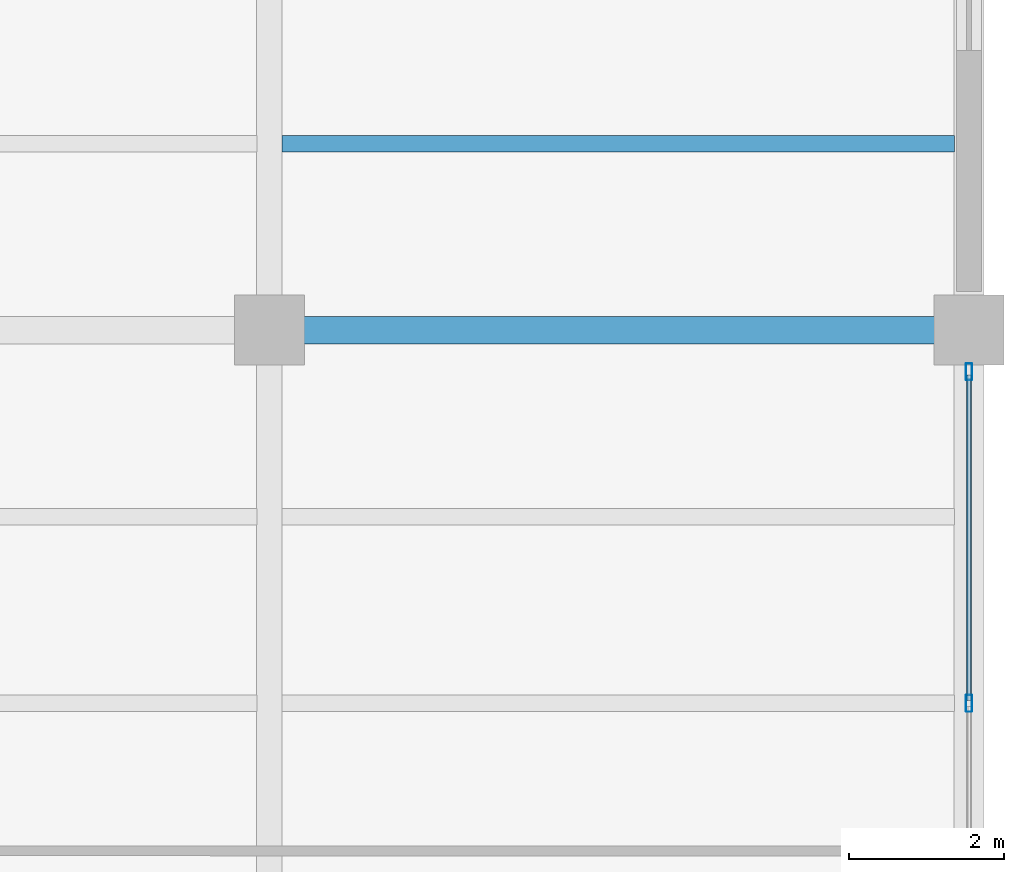
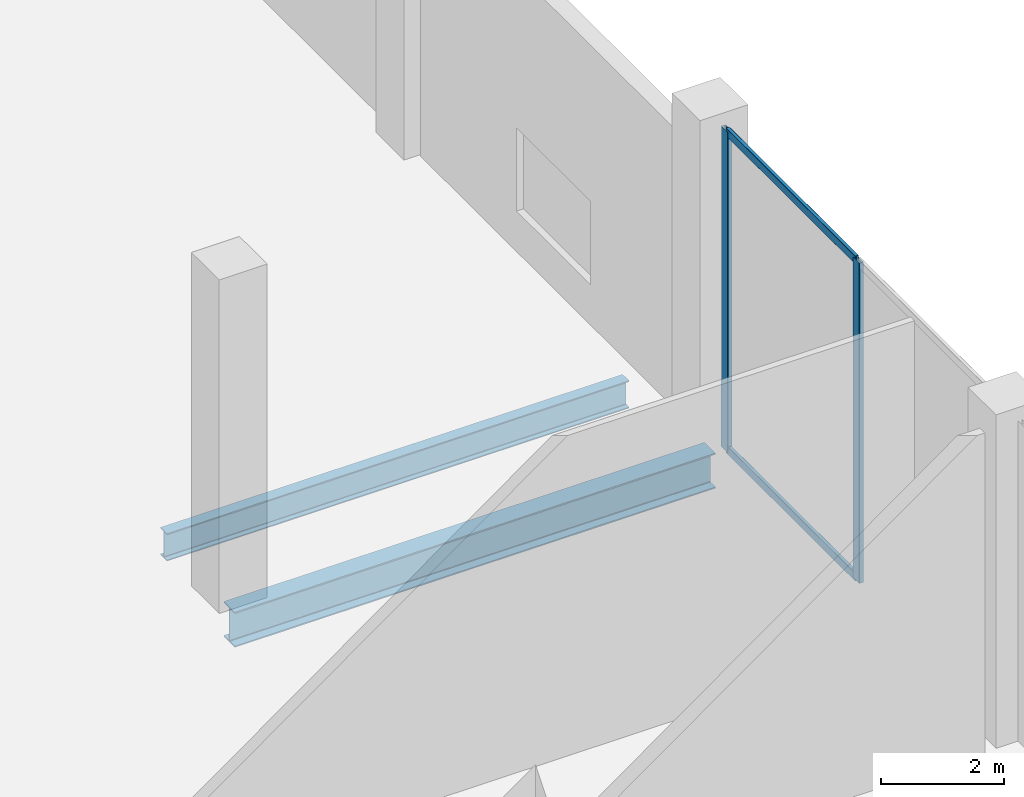
# One storey, part 21 of 45: 4 members, 2 beams, 1 element without a shape of its own.
"""IFC4 building model written with IfcOpenShell, lengths in metres."""

from ifc_helpers import new_model, si_unit, direction, frame, origin, origin_2d, place, context, subcontext, project, spatial, hollow_rectangle, i_section, extrude, material, layer, layer_set, material_profile, profile_set, type_object, element, aggregate, save


model = new_model("IFC4")

# Units and contexts
model_context = context("Model", 3, precision=1e-05, world=origin(), true_north=direction((0.0, 1.0)))
body_context = subcontext(model_context, "Body", "Model", "MODEL_VIEW")
ifc_project = project(units=[si_unit("LENGTHUNIT", "METRE"), si_unit("AREAUNIT", "SQUARE_METRE"), si_unit("VOLUMEUNIT", "CUBIC_METRE"), si_unit("PLANEANGLEUNIT", "RADIAN"), si_unit("MASSUNIT", "GRAM", prefix="KILO")], contexts=[model_context])

# Site, building, storey
site_placement = place(None, origin())
site = spatial("IfcSite", under=ifc_project, at=site_placement, CompositionType="ELEMENT")
building_placement = place(site_placement, origin())
building = spatial("IfcBuilding", under=site, at=building_placement, Name="Qorvath Tower", CompositionType="ELEMENT")
storey_placement = place(building_placement, origin())
storey = spatial("IfcBuildingStorey", under=building, at=storey_placement, Name="L00", CompositionType="ELEMENT", Elevation=0.0)

# Beams
ifc_material_1 = material(Name="Steel ASTM A992 Grade 50", Category="steel")
ifc_material_profile_1 = material_profile(ifc_material_1, i_section(OverallWidth=0.35595703125, OverallDepth=0.696044921875, WebThickness=0.015380859375, FlangeThickness=0.02490234375, FilletRadius=0.01806640625, at=origin_2d()), Name="W27x146")
ifc_profile_set_1 = profile_set([ifc_material_profile_1], Name="Steel ASTM A992 Grade 50")
beam_type_1 = type_object("IfcBeamType", Name="BM-FG4", PredefinedType="BEAM", material=ifc_profile_set_1)
beam_1_placement = place(storey_placement, frame((68.39990234375, 19.199951171875, -0.64794921875), z_axis=(1.0, 0.0, 0.0), x_axis=(0.0, 1.0, 0.0)))
element("IfcBeam", 1, at=beam_1_placement, inside=storey, type_object=beam_type_1, Name="Library E-W Girder L00-7-5", PredefinedType="BEAM", context=body_context, shape_type="SweptSolid", body=[
    extrude(i_section(OverallWidth=0.35595703125, OverallDepth=0.696044921875, WebThickness=0.015380859375, FlangeThickness=0.02490234375, FilletRadius=0.01806640625, at=origin_2d()), origin(), (0.0, 0.0, 1.0), 9.0),
])
ifc_material_2 = material(Name="Steel ASTM A992 Grade 50", Category="steel")
ifc_material_profile_2 = material_profile(ifc_material_2, i_section(OverallWidth=0.2119140625, OverallDepth=0.5439453125, WebThickness=0.01318359375, FlangeThickness=0.021240234375, FilletRadius=0.013916015625, at=origin_2d()), Name="W21x83")
ifc_profile_set_2 = profile_set([ifc_material_profile_2], Name="Steel ASTM A992 Grade 50")
beam_type_2 = type_object("IfcBeamType", Name="BM-FJ1", PredefinedType="JOIST", material=ifc_profile_set_2)
beam_2_placement = place(storey_placement, frame((68.560546875, 21.60009765625, -0.572021484375), z_axis=(1.0, 0.0, 0.0), x_axis=(0.0, 1.0, 0.0)))
element("IfcBeam", 2, at=beam_2_placement, inside=storey, type_object=beam_type_2, Name="Library Stack Joist L00-7.1-5", PredefinedType="JOIST", context=body_context, shape_type="SweptSolid", body=[
    extrude(i_section(OverallWidth=0.2119140625, OverallDepth=0.5439453125, WebThickness=0.01318359375, FlangeThickness=0.021240234375, FilletRadius=0.013916015625, at=origin_2d()), origin(), (0.0, 0.0, 1.0), 8.65087890625),
])

# Curtain wall, members
ifc_material_3 = material(Name="Anodised aluminium and triple low-E glass", Category="aluminium")
ifc_layer = layer(ifc_material_3, 0.179931640625)
ifc_layer_set = layer_set([ifc_layer], Name="CW-SYS-6")
curtain_wall_type = type_object("IfcCurtainWallType", Name="CW-SYS-6", PredefinedType="NOTDEFINED", material=ifc_layer_set)
curtain_wall_placement = place(storey_placement, origin())
curtain_wall = element("IfcCurtainWall", 3, at=curtain_wall_placement, inside=storey, type_object=curtain_wall_type, Name="Curtain Wall CW-6 CW-LIB-E-L00-6", PredefinedType="NOTDEFINED")
ifc_material_4 = material(Name="Anodised aluminium 6063-T6", Category="aluminium")
ifc_material_profile_3 = material_profile(ifc_material_4, hollow_rectangle(XDim=0.080078125, YDim=0.219970703125, WallThickness=0.00439453125, InnerFilletRadius=0.00439453125, OuterFilletRadius=0.009033203125, at=origin_2d()), Name="CWM LIB 220x80")
ifc_profile_set_3 = profile_set([ifc_material_profile_3], Name="Anodised aluminium 6063-T6")
member_type_1 = type_object("IfcMemberType", Name="CWM-LIB", PredefinedType="MULLION", material=ifc_profile_set_3)
member_1_placement = place(storey_placement, frame((77.39990234375, 14.400146484375, 0.0), z_axis=(0.0, 0.0, 1.0), x_axis=(-1.0, 0.0, 0.0)))
member_1 = element("IfcMember", 4, at=member_1_placement, type_object=member_type_1, Name="CW-6 mullion 2", PredefinedType="MULLION", context=body_context, shape_type="SweptSolid", body=[
    extrude(hollow_rectangle(XDim=0.080078125, YDim=0.219970703125, WallThickness=0.00439453125, InnerFilletRadius=0.00439453125, OuterFilletRadius=0.009033203125, at=origin_2d()), origin(), (0.0, 0.0, 1.0), 6.340087890625),
])
member_2_placement = place(storey_placement, frame((77.39990234375, 18.6650390625, 0.0), z_axis=(0.0, 0.0, 1.0), x_axis=(-1.0, 0.0, 0.0)))
member_2 = element("IfcMember", 5, at=member_2_placement, type_object=member_type_1, Name="CW-6 mullion 3", PredefinedType="MULLION", context=body_context, shape_type="SweptSolid", body=[
    extrude(hollow_rectangle(XDim=0.080078125, YDim=0.219970703125, WallThickness=0.00439453125, InnerFilletRadius=0.00439453125, OuterFilletRadius=0.009033203125, at=origin_2d()), origin(), (0.0, 0.0, 1.0), 6.340087890625),
])
ifc_material_5 = material(Name="Anodised aluminium 6063-T6", Category="aluminium")
ifc_material_profile_4 = material_profile(ifc_material_5, hollow_rectangle(XDim=0.06494140625, YDim=0.159912109375, WallThickness=0.00341796875, InnerFilletRadius=0.00341796875, OuterFilletRadius=0.007080078125, at=origin_2d()), Name="CWT 160x65")
ifc_profile_set_4 = profile_set([ifc_material_profile_4], Name="Anodised aluminium 6063-T6")
member_type_2 = type_object("IfcMemberType", Name="CWT-160", PredefinedType="USERDEFINED", material=ifc_profile_set_4)
member_3_placement = place(storey_placement, frame((77.39990234375, 14.43994140625, 0.032470703125), z_axis=(0.0, 1.0, 0.0), x_axis=(-1.0, 0.0, 0.0)))
member_3 = element("IfcMember", 6, at=member_3_placement, type_object=member_type_2, Name="CW-6 transom 2.1", ObjectType="TRANSOM", PredefinedType="USERDEFINED", context=body_context, shape_type="SweptSolid", body=[
    extrude(hollow_rectangle(XDim=0.06494140625, YDim=0.159912109375, WallThickness=0.00341796875, InnerFilletRadius=0.00341796875, OuterFilletRadius=0.007080078125, at=origin_2d()), origin(), (0.0, 0.0, 1.0), 4.18505859375),
])
member_4_placement = place(storey_placement, frame((77.39990234375, 14.43994140625, 6.3076171875), z_axis=(0.0, 1.0, 0.0), x_axis=(-1.0, 0.0, 0.0)))
member_4 = element("IfcMember", 7, at=member_4_placement, type_object=member_type_2, Name="CW-6 transom 2.2", ObjectType="TRANSOM", PredefinedType="USERDEFINED", context=body_context, shape_type="SweptSolid", body=[
    extrude(hollow_rectangle(XDim=0.06494140625, YDim=0.159912109375, WallThickness=0.00341796875, InnerFilletRadius=0.00341796875, OuterFilletRadius=0.007080078125, at=origin_2d()), origin(), (0.0, 0.0, 1.0), 4.18505859375),
])
aggregate(curtain_wall, [member_1, member_2, member_3, member_4])

save(model, "model.ifc")
